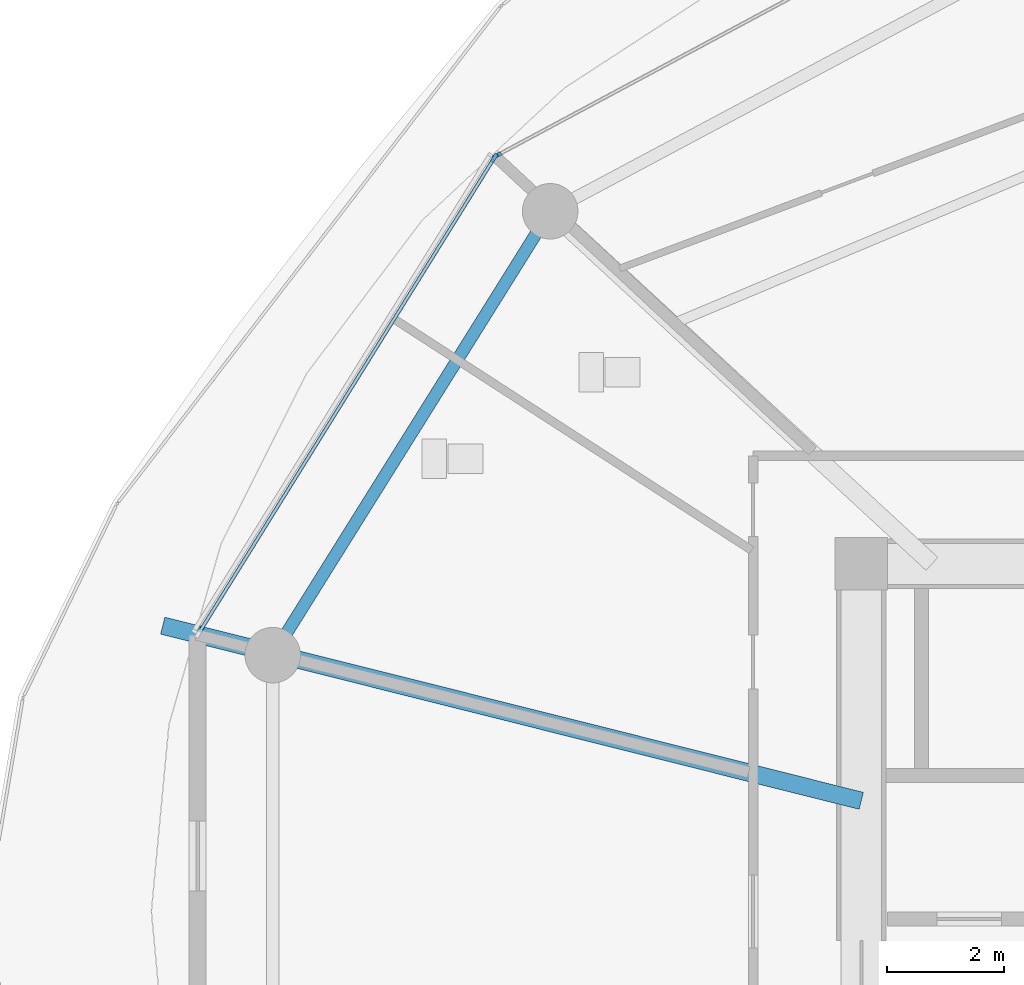
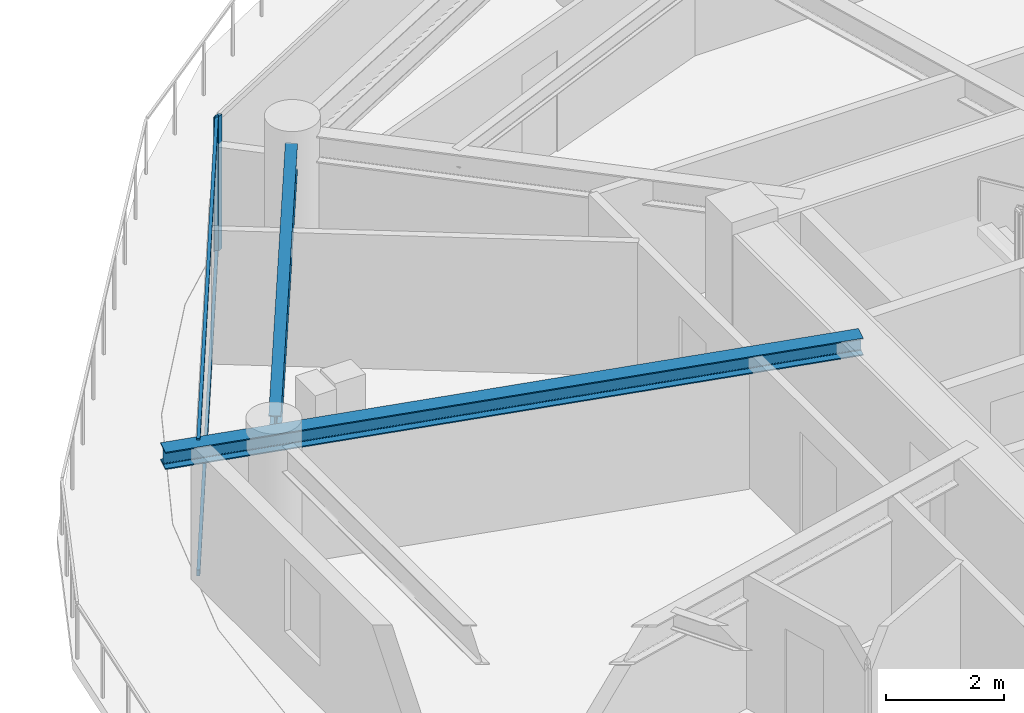
# One storey, part 8 of 26: 4 members, 2 beams, 2 elements without a shape of their own.
"""IFC4 building model written with IfcOpenShell, lengths in metres."""

from ifc_helpers import new_model, si_unit, direction, frame, origin, origin_2d, place, context, subcontext, project, spatial, rectangle, i_section, extrude, source, transform, mapped, material, layer, layer_set, material_profile, profile_set, type_object, type_shapes, element, aggregate, save


model = new_model("IFC4")

# Units and contexts
model_context = context("Model", 3, precision=1e-05, world=origin(), true_north=direction((0.0, 1.0)))
body_context = subcontext(model_context, "Body", "Model", "MODEL_VIEW")
ifc_project = project(units=[si_unit("LENGTHUNIT", "METRE"), si_unit("AREAUNIT", "SQUARE_METRE"), si_unit("VOLUMEUNIT", "CUBIC_METRE"), si_unit("PLANEANGLEUNIT", "RADIAN"), si_unit("MASSUNIT", "GRAM", prefix="KILO")], contexts=[model_context])

# Site, building, storey
site_placement = place(None, origin())
site = spatial("IfcSite", under=ifc_project, at=site_placement, CompositionType="ELEMENT")
building_placement = place(site_placement, origin())
building = spatial("IfcBuilding", under=site, at=building_placement, Name="Norrkilde Senior Care Towers", CompositionType="ELEMENT")
storey_placement = place(building_placement, frame((0.0, 0.0, 67.35009765625)))
storey = spatial("IfcBuildingStorey", under=building, at=storey_placement, Name="L20", CompositionType="ELEMENT", Elevation=67.35009765625)

# Beams
ifc_material_1 = material(Name="Steel S355", Category="steel")
ifc_material_profile_1 = material_profile(ifc_material_1, i_section(OverallWidth=0.2099609375, OverallDepth=0.550048828125, WebThickness=0.010986328125, FlangeThickness=0.01708984375, FilletRadius=0.02392578125, at=origin_2d()), Name="IPE 550")
ifc_profile_set_1 = profile_set([ifc_material_profile_1], Name="Steel S355")
beam_type_1 = type_object("IfcBeamType", Name="Perimeter Ring Spandrel Z1 IPE550", PredefinedType="SPANDREL", material=ifc_profile_set_1)
shared_shape_1 = source(origin(), body_context, "Body", "SweptSolid", [
    extrude(i_section(OverallWidth=0.2099609375, OverallDepth=0.550048828125, WebThickness=0.010986328125, FlangeThickness=0.01708984375, FilletRadius=0.02392578125, at=origin_2d()), origin(), (0.0, 0.0, 1.0), 8.090576171875),
])
type_shapes(beam_type_1, [shared_shape_1])
beam_1_placement = place(storey_placement, frame((14.7939453125, 11.61669921875, 2.514892578125), z_axis=(-0.530004364821, -0.84799491347, 0.0), x_axis=(0.84799491347, -0.530004364821, 0.0)))
element("IfcBeam", 1, at=beam_1_placement, inside=storey, type_object=beam_type_1, Name="L20 Drum E Perimeter Spandrel 05", PredefinedType="SPANDREL", context=body_context, shape_type="MappedRepresentation", body=[
    mapped(shared_shape_1, transform((0.0, 0.0, 0.0), x_axis=(1.0, 0.0, 0.0), y_axis=(0.0, 1.0, 0.0), z_axis=(0.0, 0.0, 1.0), scale=1.0)),
])
ifc_material_profile_2 = material_profile(ifc_material_1, i_section(OverallWidth=0.300048828125, OverallDepth=0.360107421875, WebThickness=0.012451171875, FlangeThickness=0.0224609375, FilletRadius=0.027099609375, at=origin_2d()), Name="HEB 360")
ifc_profile_set_2 = profile_set([ifc_material_profile_2], Name="Steel S355")
beam_type_2 = type_object("IfcBeamType", Name="Balcony Crest Cantilever Rib HEB360", PredefinedType="BEAM", material=ifc_profile_set_2)
shared_shape_2 = source(origin(), body_context, "Body", "SweptSolid", [
    extrude(i_section(OverallWidth=0.300048828125, OverallDepth=0.360107421875, WebThickness=0.012451171875, FlangeThickness=0.0224609375, FilletRadius=0.027099609375, at=origin_2d()), origin(), (0.0, 0.0, 1.0), 12.32861328125),
])
type_shapes(beam_type_2, [shared_shape_2])
beam_2_placement = place(storey_placement, frame((20.35009765625, 1.893310546875, 2.60986328125), z_axis=(-0.969976863562, 0.243197212474, 0.0), x_axis=(-0.243197212474, -0.969976863562, 0.0)))
element("IfcBeam", 2, at=beam_2_placement, inside=storey, type_object=beam_type_2, Name="L20 Drum E Balcony Cantilever Rib", PredefinedType="BEAM", context=body_context, shape_type="MappedRepresentation", body=[
    mapped(shared_shape_2, transform((0.0, 0.0, 0.0), x_axis=(1.0, 0.0, 0.0), y_axis=(0.0, 1.0, 0.0), z_axis=(0.0, 0.0, 1.0), scale=1.0)),
])

# Curtain wall, member
ifc_material_2 = material(Name="Triple Low-E Insulated Glazing", Category="glass")
ifc_layer = layer(ifc_material_2, 0.199951171875)
ifc_layer_set = layer_set([ifc_layer], Name="Triple Low-E Insulated Glazing")
curtain_wall_type = type_object("IfcCurtainWallType", Name="CW2 Zone 1 Memory Care Curtain Wall", PredefinedType="NOTDEFINED", material=ifc_layer_set)
curtain_wall_1_placement = place(storey_placement, origin())
curtain_wall_1 = element("IfcCurtainWall", 3, at=curtain_wall_1_placement, inside=storey, type_object=curtain_wall_type, Name="L20 Drum E Curtain Wall 03", PredefinedType="NOTDEFINED")
ifc_material_3 = material(Name="Anodised Aluminium", Category="aluminium")
ifc_material_profile_3 = material_profile(ifc_material_3, rectangle(XDim=0.06494140625, YDim=0.159912109375, at=origin_2d()), Name="ALU MULL 65x160")
ifc_profile_set_3 = profile_set([ifc_material_profile_3], Name="Anodised Aluminium")
member_type_1 = type_object("IfcMemberType", Name="Curtain Wall Mullion Z1-Z2 65x160", PredefinedType="MULLION", material=ifc_profile_set_3)
shared_shape_3 = source(origin(), body_context, "Body", "SweptSolid", [
    extrude(rectangle(XDim=0.06494140625, YDim=0.159912109375, at=origin_2d()), origin(), (0.0, 0.0, 1.0), 2.789794921875),
])
type_shapes(member_type_1, [shared_shape_3])
member_1_placement = place(storey_placement, frame((14.11279296875, 12.941162109375, 0.0), z_axis=(0.0, 0.0, 1.0), x_axis=(-0.472607802456, 0.881272866403, 0.0)))
member_1 = element("IfcMember", 4, at=member_1_placement, type_object=member_type_1, Name="CW-2 mullion 1", PredefinedType="MULLION", context=body_context, shape_type="MappedRepresentation", body=[
    mapped(shared_shape_3, transform((0.0, 0.0, 0.0), x_axis=(1.0, 0.0, 0.0), y_axis=(0.0, 1.0, 0.0), z_axis=(0.0, 0.0, 1.0), scale=1.0)),
])
aggregate(curtain_wall_1, [member_1])

# Curtain wall, members
curtain_wall_2_placement = place(storey_placement, origin())
curtain_wall_2 = element("IfcCurtainWall", 5, at=curtain_wall_2_placement, inside=storey, type_object=curtain_wall_type, Name="L20 Drum E Curtain Wall 04", PredefinedType="NOTDEFINED")
member_2_placement = place(storey_placement, frame((14.06689453125, 12.898193359375, 0.0), z_axis=(0.0, 0.0, 1.0), x_axis=(-0.849305943117, 0.527900951871, 0.0)))
member_2 = element("IfcMember", 6, at=member_2_placement, type_object=member_type_1, Name="CW-2 mullion 2", PredefinedType="MULLION", context=body_context, shape_type="MappedRepresentation", body=[
    mapped(shared_shape_3, transform((0.0, 0.0, 0.0), x_axis=(1.0, 0.0, 0.0), y_axis=(0.0, 1.0, 0.0), z_axis=(0.0, 0.0, 1.0), scale=1.0)),
])
ifc_material_profile_4 = material_profile(ifc_material_3, rectangle(XDim=0.06005859375, YDim=0.1201171875, at=origin_2d()), Name="ALU TRAN 60x120")
ifc_profile_set_4 = profile_set([ifc_material_profile_4], Name="Anodised Aluminium")
member_type_2 = type_object("IfcMemberType", Name="Curtain Wall Transom Typical 60x120", PredefinedType="USERDEFINED", material=ifc_profile_set_4)
shared_shape_4 = source(origin(), body_context, "Body", "SweptSolid", [
    extrude(rectangle(XDim=0.06005859375, YDim=0.1201171875, at=origin_2d()), origin(), (0.0, 0.0, 1.0), 9.5185546875),
])
type_shapes(member_type_2, [shared_shape_4])
member_3_placement = place(storey_placement, frame((9.02490234375, 4.786376953125, 0.02978515625), z_axis=(0.527901620669, 0.849305527413, 0.0), x_axis=(-0.849305527413, 0.527901620669, 0.0)))
member_3 = element("IfcMember", 7, at=member_3_placement, type_object=member_type_2, Name="CW-2 transom 1.1", ObjectType="TRANSOM", PredefinedType="USERDEFINED", context=body_context, shape_type="MappedRepresentation", body=[
    mapped(shared_shape_4, transform((0.0, 0.0, 0.0), x_axis=(1.0, 0.0, 0.0), y_axis=(0.0, 1.0, 0.0), z_axis=(0.0, 0.0, 1.0), scale=1.0)),
])
member_4_placement = place(storey_placement, frame((9.02490234375, 4.786376953125, 2.760009765625), z_axis=(0.527901620669, 0.849305527413, 0.0), x_axis=(-0.849305527413, 0.527901620669, 0.0)))
member_4 = element("IfcMember", 8, at=member_4_placement, type_object=member_type_2, Name="CW-2 transom 1.2", ObjectType="TRANSOM", PredefinedType="USERDEFINED", context=body_context, shape_type="MappedRepresentation", body=[
    mapped(shared_shape_4, transform((0.0, 0.0, 0.0), x_axis=(1.0, 0.0, 0.0), y_axis=(0.0, 1.0, 0.0), z_axis=(0.0, 0.0, 1.0), scale=1.0)),
])
aggregate(curtain_wall_2, [member_2, member_3, member_4])

save(model, "model.ifc")
